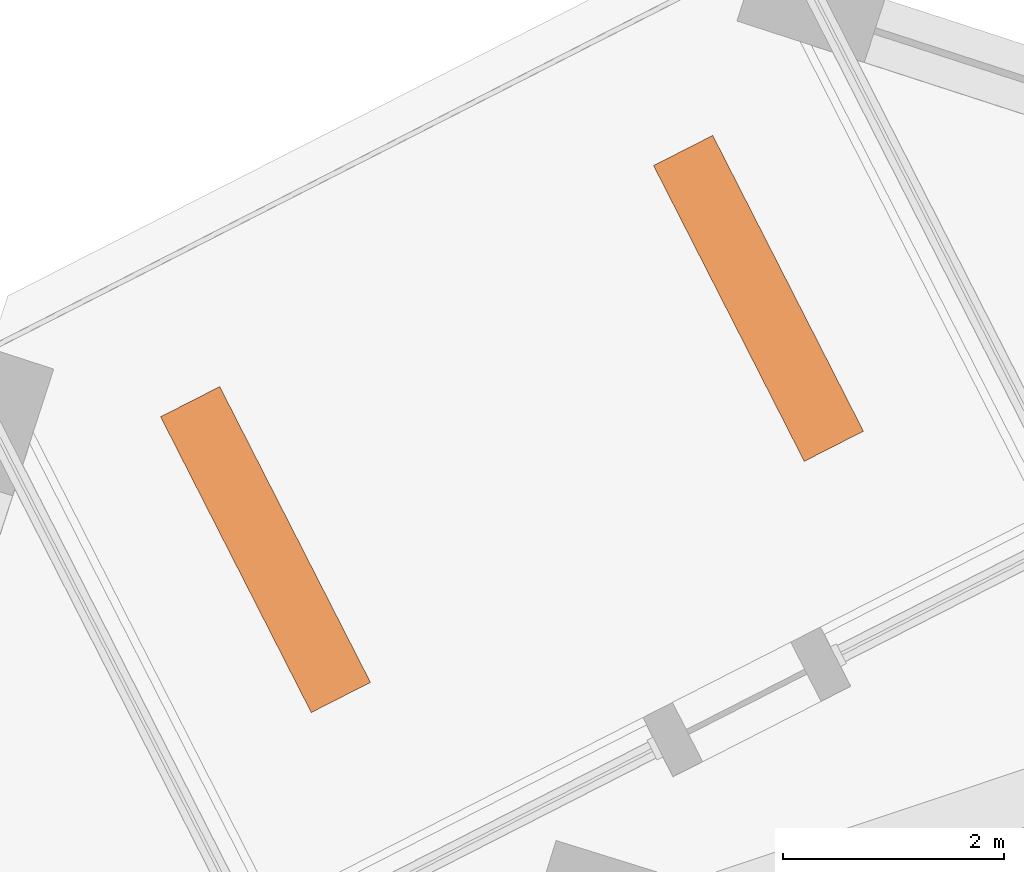
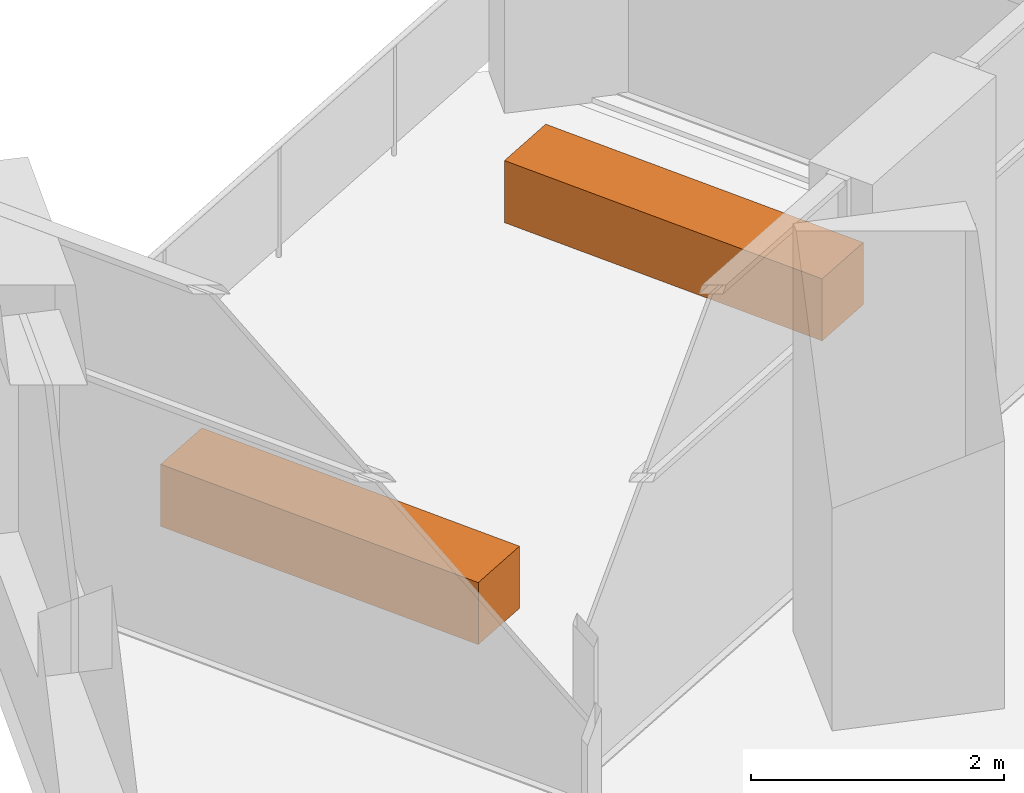
# One storey, part 13 of 13: 2 proxies.
"""IFC4 building model written with IfcOpenShell, lengths in metres."""

from ifc_helpers import new_model, si_unit, direction, frame, origin, origin_2d, place, context, subcontext, project, spatial, rectangle, extrude, element, save


model = new_model("IFC4")

# Units and contexts
model_context = context("Model", 3, precision=1e-05, world=origin(), true_north=direction((0.0, 1.0)))
body_context = subcontext(model_context, "Body", "Model", "MODEL_VIEW")
ifc_project = project(units=[si_unit("LENGTHUNIT", "METRE"), si_unit("AREAUNIT", "SQUARE_METRE"), si_unit("VOLUMEUNIT", "CUBIC_METRE"), si_unit("PLANEANGLEUNIT", "RADIAN"), si_unit("MASSUNIT", "GRAM", prefix="KILO")], contexts=[model_context])

# Site, building, storey
site_placement = place(None, origin())
site = spatial("IfcSite", under=ifc_project, at=site_placement, CompositionType="ELEMENT")
building_placement = place(site_placement, origin())
building = spatial("IfcBuilding", under=site, at=building_placement, Name="Dilmun Exchange Tower", CompositionType="ELEMENT")
storey_placement = place(building_placement, frame((0.0, 0.0, 316.5)))
storey = spatial("IfcBuildingStorey", under=building, at=storey_placement, Name="L75", CompositionType="ELEMENT", Elevation=316.5)

# Proxies
for number, where, z_axis, x_axis, name in (
    (1, (-11.16796875, 32.097900390625, 0.0), (0.0, 0.0, 1.0), (-0.45399049974, 0.891006524188, 0.0), "PLANTER Date palm L75.1"),
    (2, (-15.623046875, 29.827880859375, 0.0), (0.0, 0.0, 1.0), (-0.45399049974, 0.891006524188, 0.0), "PLANTER Date palm L75.2"),
):
    element("IfcBuildingElementProxy", number, at=place(storey_placement, frame(where, z_axis=z_axis, x_axis=x_axis)), inside=storey, Name=name, ObjectType="PLANTER", PredefinedType="USERDEFINED", context=body_context, shape_type="SweptSolid", body=[
        extrude(rectangle(XDim=3.0, YDim=0.60009765625, at=origin_2d()), origin(), (0.0, 0.0, 1.0), 0.60009765625),
    ])

save(model, "model.ifc")
